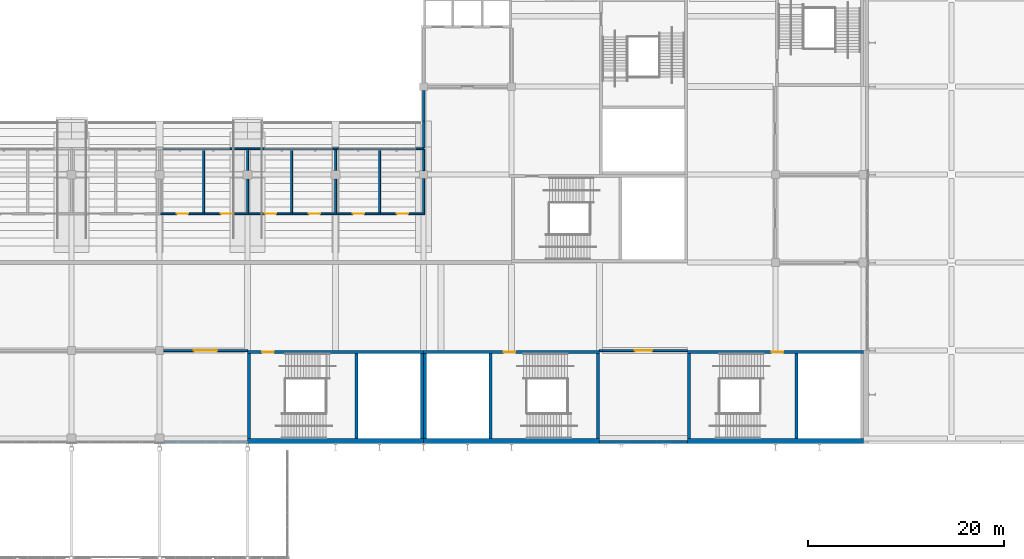
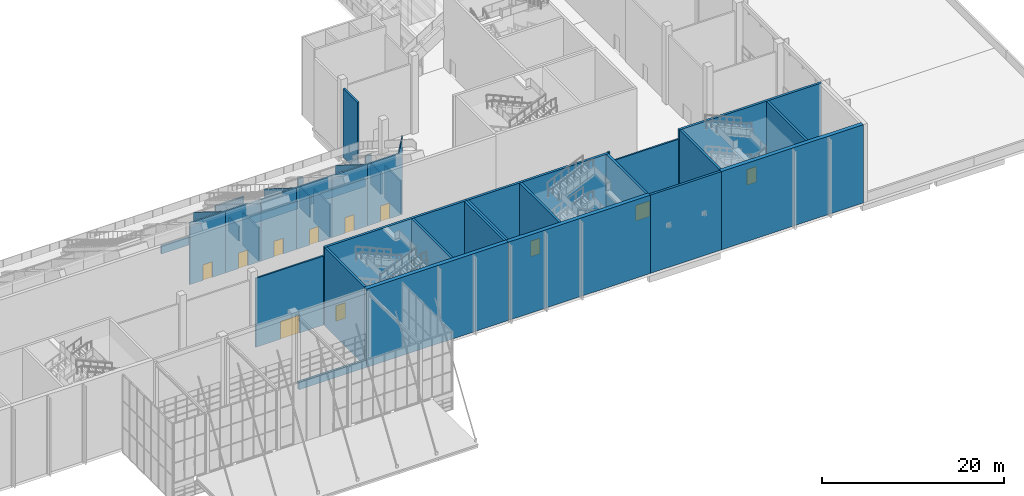
# One storey, part 87 of 182: 42 walls, 11 doors, 11 openings.
"""IFC4 building model written with IfcOpenShell, lengths in metres."""

from ifc_helpers import new_model, si_unit, direction, frame, frame_2d, origin, place, context, subcontext, project, spatial, polyline, rectangle, outline, extrude, material, layer, layer_set, type_object, element, fill, save


model = new_model("IFC4")

# Units and contexts
model_context = context("Model", 3, precision=1e-05, world=origin(), true_north=direction((0.0, 1.0)))
body_context = subcontext(model_context, "Body", "Model", "MODEL_VIEW")
ifc_project = project(units=[si_unit("LENGTHUNIT", "METRE"), si_unit("AREAUNIT", "SQUARE_METRE"), si_unit("VOLUMEUNIT", "CUBIC_METRE"), si_unit("PLANEANGLEUNIT", "RADIAN"), si_unit("MASSUNIT", "GRAM", prefix="KILO")], contexts=[model_context])

# Site, building, storey
site_placement = place(None, origin())
site = spatial("IfcSite", under=ifc_project, at=site_placement, CompositionType="ELEMENT")
building_placement = place(site_placement, origin())
building = spatial("IfcBuilding", under=site, at=building_placement, Name="Silverbay Arena", CompositionType="ELEMENT")
storey_placement = place(building_placement, frame((0.0, 0.0, 11.5)))
storey = spatial("IfcBuildingStorey", under=building, at=storey_placement, Name="L02", CompositionType="ELEMENT", Elevation=11.5)

# Walls
ifc_material_1 = material(Name="Concrete Grade C45", Category="concrete")
ifc_layer_1 = layer(ifc_material_1, 0.25)
ifc_layer_set_1 = layer_set([ifc_layer_1], Name="Concrete Grade C45")
wall_type_1 = type_object("IfcWallType", Name="Bowl enclosure wall RC 250 EI 120", PredefinedType="SOLIDWALL", material=ifc_layer_set_1)
wall_1_placement = place(storey_placement, frame((162.0, 50.5, 0.0), z_axis=(0.0, 0.0, 1.0), x_axis=(0.0, 1.0, 0.0)))
element("IfcWall", 1, at=wall_1_placement, inside=storey, type_object=wall_type_1, Name="Bowl enclosure wall, corner block SE-x", PredefinedType="SOLIDWALL", context=body_context, shape_type="SweptSolid", body=[
    extrude(rectangle(XDim=3.10009765625, YDim=0.25, at=frame_2d((1.550048828125, 0.0))), origin(), (0.0, 0.0, 1.0), 9.25),
])
wall_2_placement = place(storey_placement, frame((162.0, 47.75, 0.0), z_axis=(0.0, 0.0, 1.0), x_axis=(0.0, 1.0, 0.0)))
element("IfcWall", 2, at=wall_2_placement, inside=storey, type_object=wall_type_1, Name="Bowl enclosure wall, corner block SE-x", PredefinedType="SOLIDWALL", context=body_context, shape_type="SweptSolid", body=[
    extrude(rectangle(XDim=2.75, YDim=0.25, at=frame_2d((1.375, 0.0))), origin(), (0.0, 0.0, 1.0), 1.217041015625),
])
ifc_material_2 = material(Name="Concrete Grade C45 precast, light finish", Category="concrete")
ifc_layer_2 = layer(ifc_material_2, 0.300048828125)
ifc_layer_set_2 = layer_set([ifc_layer_2], Name="Concrete Grade C45 precast, light finish")
wall_type_2 = type_object("IfcWallType", Name="Cladded external wall 300", PredefinedType="SOLIDWALL", material=ifc_layer_set_2)
wall_3_placement = place(storey_placement, frame((135.449951171875, 17.64990234375, 0.0), z_axis=(0.0, 0.0, 1.0), x_axis=(1.0, 0.0, 0.0)))
element("IfcWall", 3, at=wall_3_placement, inside=storey, type_object=wall_type_2, Name="South sill wall L02 bay 10", PredefinedType="SOLIDWALL", context=body_context, shape_type="SweptSolid", body=[
    extrude(rectangle(XDim=8.550048828125, YDim=0.300048828125, at=frame_2d((4.27490234375, 0.0))), origin(), (0.0, 0.0, 1.0), 1.0),
])
wall_4_placement = place(storey_placement, frame((180.0, 17.64990234375, 0.0), z_axis=(0.0, 0.0, 1.0), x_axis=(1.0, 0.0, 0.0)))
element("IfcWall", 4, at=wall_4_placement, inside=storey, type_object=wall_type_2, Name="South external wall L02 bay 15", PredefinedType="SOLIDWALL", context=body_context, shape_type="SweptSolid", body=[
    extrude(rectangle(XDim=9.0, YDim=0.300048828125, at=frame_2d((4.5, 0.0))), origin(), (0.0, 0.0, 1.0), 10.5),
])

# Wall, opening, door
ifc_material_3 = material(Name="Concrete Grade C45", Category="concrete")
ifc_layer_3 = layer(ifc_material_3, 0.300048828125)
ifc_layer_set_3 = layer_set([ifc_layer_3], Name="Concrete Grade C45")
wall_type_3 = type_object("IfcWallType", Name="Core wall RC 300 EI 120", PredefinedType="SHEAR", material=ifc_layer_set_3)
wall_5_placement = place(storey_placement, frame((144.0, 26.85009765625, 0.0), z_axis=(0.0, 0.0, 1.0), x_axis=(1.0, 0.0, 0.0)))
wall_5 = element("IfcWall", 5, at=wall_5_placement, inside=storey, type_object=wall_type_3, Name="Core wall ST-S3 L02 door side", PredefinedType="SHEAR", context=body_context, shape_type="SweptSolid", body=[
    extrude(rectangle(XDim=18.0, YDim=0.300048828125, at=frame_2d((9.0, 0.0))), origin(), (0.0, 0.0, 1.0), 10.5),
])
opening_1_placement = place(wall_5_placement, frame((1.5, 0.0, 0.0)))
opening_1 = element("IfcOpeningElement", 6, at=opening_1_placement, cuts=wall_5, Name="Opening L02-077", PredefinedType="OPENING", context=body_context, shape_type="SweptSolid", body=[
    extrude(rectangle(XDim=1.199951171875, YDim=2.10009765625, at=frame_2d((0.60009765625, 1.050048828125))), frame((0.0, 0.16015625, 0.0), z_axis=(0.0, -1.0, 0.0), x_axis=(1.0, 0.0, 0.0)), (0.0, 0.0, 1.0), 0.320068359375),
])
ifc_material_4 = material(Name="Steel fire door", Category="steel")
door_type_1 = type_object("IfcDoorType", Name="Stair door 1200 x 2100 fire door", OperationType="SINGLE_SWING_LEFT", PredefinedType="DOOR", material=ifc_material_4)
door_1_placement = place(opening_1_placement, frame((1.199951171875, 0.0, 0.0), z_axis=(0.0, 0.0, 1.0), x_axis=(-1.0, 0.0, 0.0)))
door_1 = element("IfcDoor", 7, at=door_1_placement, inside=storey, type_object=door_type_1, Name="Stair door ST-S3 L02", OperationType="SINGLE_SWING_RIGHT", OverallHeight=2.10009765625, OverallWidth=1.199951171875, PredefinedType="DOOR", context=body_context, shape_type="SweptSolid", body=[
    extrude(rectangle(XDim=1.199951171875, YDim=2.10009765625, at=frame_2d((0.60009765625, 1.050048828125))), frame((0.0, 0.02490234375, 0.0), z_axis=(0.0, -1.0, 0.0), x_axis=(1.0, 0.0, 0.0)), (0.0, 0.0, 1.0), 0.050048828125),
])
fill(opening_1, door_1)

# Walls
for number, where, z_axis, x_axis, name in (
    (8, (144.14990234375, 26.699951171875, 0.0), (0.0, 0.0, 1.0), (0.0, -1.0, 0.0), "Core wall ST-S3 L02 end 1"),
    (9, (161.85009765625, 26.699951171875, 0.0), (0.0, 0.0, 1.0), (0.0, -1.0, 0.0), "Core wall ST-S3 L02 end 2"),
    (10, (155.14990234375, 26.699951171875, 0.0), (0.0, 0.0, 1.0), (0.0, -1.0, 0.0), "Core wall ST-S3 L02 stair enclosure"),
):
    element("IfcWall", number, at=place(storey_placement, frame(where, z_axis=z_axis, x_axis=x_axis)), inside=storey, type_object=wall_type_3, Name=name, PredefinedType="SHEAR", context=body_context, shape_type="SweptSolid", body=[
        extrude(rectangle(XDim=8.699951171875, YDim=0.300048828125, at=frame_2d((4.35009765625, 0.0))), origin(), (0.0, 0.0, 1.0), 10.5),
    ])

# Wall, opening, door
wall_6_placement = place(storey_placement, frame((180.0, 26.85009765625, 0.0), z_axis=(0.0, 0.0, 1.0), x_axis=(-1.0, 0.0, 0.0)))
wall_6 = element("IfcWall", 11, at=wall_6_placement, inside=storey, type_object=wall_type_3, Name="Core wall ST-S4 L02 door side", PredefinedType="SHEAR", context=body_context, shape_type="SweptSolid", body=[
    extrude(rectangle(XDim=18.0, YDim=0.300048828125, at=frame_2d((9.0, 0.0))), origin(), (0.0, 0.0, 1.0), 10.5),
])
opening_2_placement = place(wall_6_placement, frame((8.60009765625, 0.0, 0.0)))
opening_2 = element("IfcOpeningElement", 12, at=opening_2_placement, cuts=wall_6, Name="Opening L02-078", PredefinedType="OPENING", context=body_context, shape_type="SweptSolid", body=[
    extrude(rectangle(XDim=1.199951171875, YDim=2.10009765625, at=frame_2d((0.60009765625, 1.050048828125))), frame((0.0, 0.16015625, 0.0), z_axis=(0.0, -1.0, 0.0), x_axis=(1.0, 0.0, 0.0)), (0.0, 0.0, 1.0), 0.320068359375),
])
door_2_placement = place(opening_2_placement, origin())
door_2 = element("IfcDoor", 13, at=door_2_placement, inside=storey, type_object=door_type_1, Name="Stair door ST-S4 L02", OperationType="SINGLE_SWING_RIGHT", OverallHeight=2.10009765625, OverallWidth=1.199951171875, PredefinedType="DOOR", context=body_context, shape_type="SweptSolid", body=[
    extrude(rectangle(XDim=1.199951171875, YDim=2.10009765625, at=frame_2d((0.60009765625, 1.050048828125))), frame((0.0, 0.02490234375, 0.0), z_axis=(0.0, -1.0, 0.0), x_axis=(1.0, 0.0, 0.0)), (0.0, 0.0, 1.0), 0.050048828125),
])
fill(opening_2, door_2)

# Walls
for number, where, z_axis, x_axis, name in (
    (14, (179.85009765625, 26.699951171875, 0.0), (0.0, 0.0, 1.0), (0.0, -1.0, 0.0), "Core wall ST-S4 L02 end 1"),
    (15, (162.14990234375, 26.699951171875, 0.0), (0.0, 0.0, 1.0), (0.0, -1.0, 0.0), "Core wall ST-S4 L02 end 2"),
    (16, (168.85009765625, 26.699951171875, 0.0), (0.0, 0.0, 1.0), (0.0, -1.0, 0.0), "Core wall ST-S4 L02 stair enclosure"),
):
    element("IfcWall", number, at=place(storey_placement, frame(where, z_axis=z_axis, x_axis=x_axis)), inside=storey, type_object=wall_type_3, Name=name, PredefinedType="SHEAR", context=body_context, shape_type="SweptSolid", body=[
        extrude(rectangle(XDim=8.699951171875, YDim=0.300048828125, at=frame_2d((4.35009765625, 0.0))), origin(), (0.0, 0.0, 1.0), 10.5),
    ])

# Wall, opening, door
wall_7_placement = place(storey_placement, frame((189.0, 26.85009765625, 0.0), z_axis=(0.0, 0.0, 1.0), x_axis=(1.0, 0.0, 0.0)))
wall_7 = element("IfcWall", 17, at=wall_7_placement, inside=storey, type_object=wall_type_3, Name="Core wall ST-S6 L02 door side", PredefinedType="SHEAR", context=body_context, shape_type="SweptSolid", body=[
    extrude(rectangle(XDim=18.0, YDim=0.300048828125, at=frame_2d((9.0, 0.0))), origin(), (0.0, 0.0, 1.0), 10.5),
])
opening_3_placement = place(wall_7_placement, frame((8.60009765625, 0.0, 0.0)))
opening_3 = element("IfcOpeningElement", 18, at=opening_3_placement, cuts=wall_7, Name="Opening L02-084", PredefinedType="OPENING", context=body_context, shape_type="SweptSolid", body=[
    extrude(rectangle(XDim=1.199951171875, YDim=2.10009765625, at=frame_2d((0.60009765625, 1.050048828125))), frame((0.0, 0.16015625, 0.0), z_axis=(0.0, -1.0, 0.0), x_axis=(1.0, 0.0, 0.0)), (0.0, 0.0, 1.0), 0.320068359375),
])
door_3_placement = place(opening_3_placement, frame((1.199951171875, 0.0, 0.0), z_axis=(0.0, 0.0, 1.0), x_axis=(-1.0, 0.0, 0.0)))
door_3 = element("IfcDoor", 19, at=door_3_placement, inside=storey, type_object=door_type_1, Name="Stair door ST-S6 L02", OperationType="SINGLE_SWING_LEFT", OverallHeight=2.10009765625, OverallWidth=1.199951171875, PredefinedType="DOOR", context=body_context, shape_type="SweptSolid", body=[
    extrude(rectangle(XDim=1.199951171875, YDim=2.10009765625, at=frame_2d((0.60009765625, 1.050048828125))), frame((0.0, 0.02490234375, 0.0), z_axis=(0.0, -1.0, 0.0), x_axis=(1.0, 0.0, 0.0)), (0.0, 0.0, 1.0), 0.050048828125),
])
fill(opening_3, door_3)

# Walls
for number, where, z_axis, x_axis, name in (
    (20, (189.14990234375, 26.699951171875, 0.0), (0.0, 0.0, 1.0), (0.0, -1.0, 0.0), "Core wall ST-S6 L02 end 1"),
    (21, (200.14990234375, 26.699951171875, 0.0), (0.0, 0.0, 1.0), (0.0, -1.0, 0.0), "Core wall ST-S6 L02 stair enclosure"),
):
    element("IfcWall", number, at=place(storey_placement, frame(where, z_axis=z_axis, x_axis=x_axis)), inside=storey, type_object=wall_type_3, Name=name, PredefinedType="SHEAR", context=body_context, shape_type="SweptSolid", body=[
        extrude(rectangle(XDim=8.699951171875, YDim=0.300048828125, at=frame_2d((4.35009765625, 0.0))), origin(), (0.0, 0.0, 1.0), 10.5),
    ])
ifc_material_5 = material(Name="Concrete Grade C45", Category="concrete")
ifc_layer_4 = layer(ifc_material_5, 0.5)
ifc_layer_set_4 = layer_set([ifc_layer_4], Name="Concrete Grade C45")
wall_type_4 = type_object("IfcWallType", Name="Core wall RC 500 external EI 120", PredefinedType="SHEAR", material=ifc_layer_set_4)
for number, where, z_axis, x_axis, name in (
    (22, (144.0, 17.75, 0.0), (0.0, 0.0, 1.0), (1.0, 0.0, 0.0), "Core wall ST-S3 L02 facade side"),
    (23, (180.0, 17.75, 0.0), (0.0, 0.0, 1.0), (-1.0, 0.0, 0.0), "Core wall ST-S4 L02 facade side"),
    (24, (189.0, 17.75, 0.0), (0.0, 0.0, 1.0), (1.0, 0.0, 0.0), "Core wall ST-S6 L02 facade side"),
):
    element("IfcWall", number, at=place(storey_placement, frame(where, z_axis=z_axis, x_axis=x_axis)), inside=storey, type_object=wall_type_4, Name=name, PredefinedType="SHEAR", context=body_context, shape_type="SweptSolid", body=[
        extrude(rectangle(XDim=18.0, YDim=0.5, at=frame_2d((9.0, 0.0))), origin(), (0.0, 0.0, 1.0), 10.5),
    ])

# Wall, opening, door
ifc_material_6 = material(Name="Masonry blockwork partition", Category="masonry")
ifc_layer_5 = layer(ifc_material_6, 0.199951171875)
ifc_layer_set_5 = layer_set([ifc_layer_5], Name="Masonry blockwork partition")
wall_type_5 = type_object("IfcWallType", Name="Partition 200 EI 120", PredefinedType="PARTITIONING", material=ifc_layer_set_5)
wall_8_placement = place(storey_placement, frame((135.39990234375, 27.0, 0.0), z_axis=(0.0, 0.0, 1.0), x_axis=(1.0, 0.0, 0.0)))
wall_8 = element("IfcWall", 25, at=wall_8_placement, inside=storey, type_object=wall_type_5, Name="Partition wall", PredefinedType="PARTITIONING", context=body_context, shape_type="SweptSolid", body=[
    extrude(rectangle(XDim=8.60009765625, YDim=0.199951171875, at=frame_2d((4.300048828125, 0.0))), origin(), (0.0, 0.0, 1.0), 9.25),
])
opening_4_placement = place(wall_8_placement, frame((3.10009765625, 0.0, 0.0)))
opening_4 = element("IfcOpeningElement", 26, at=opening_4_placement, cuts=wall_8, Name="Opening L02-002", PredefinedType="OPENING", context=body_context, shape_type="SweptSolid", body=[
    extrude(rectangle(XDim=2.39990234375, YDim=2.39990234375, at=frame_2d((1.199951171875, 1.199951171875))), frame((0.0, 0.10986328125, 0.0), z_axis=(0.0, -1.0, 0.0), x_axis=(1.0, 0.0, 0.0)), (0.0, 0.0, 1.0), 0.219970703125),
])
ifc_material_7 = material(Name="Steel faced timber", Category="steel")
door_type_2 = type_object("IfcDoorType", Name="Double leaf door 2400 x 2400 FD120", OperationType="DOUBLE_DOOR_DOUBLE_SWING", PredefinedType="DOOR", material=ifc_material_7)
door_4_placement = place(opening_4_placement, origin())
door_4 = element("IfcDoor", 27, at=door_4_placement, inside=storey, type_object=door_type_2, Name="Door L02-002", OperationType="DOUBLE_DOOR_DOUBLE_SWING", OverallHeight=2.39990234375, OverallWidth=2.39990234375, PredefinedType="DOOR", context=body_context, shape_type="SweptSolid", body=[
    extrude(rectangle(XDim=2.39990234375, YDim=2.39990234375, at=frame_2d((1.199951171875, 1.199951171875))), frame((0.0, 0.02490234375, 0.0), z_axis=(0.0, -1.0, 0.0), x_axis=(1.0, 0.0, 0.0)), (0.0, 0.0, 1.0), 0.050048828125),
])
fill(opening_4, door_4)

wall_9_placement = place(storey_placement, frame((135.10009765625, 41.0, 0.0), z_axis=(0.0, 0.0, 1.0), x_axis=(1.0, 0.0, 0.0)))
wall_9 = element("IfcWall", 28, at=wall_9_placement, inside=storey, type_object=wall_type_5, Name="Partition wall", PredefinedType="PARTITIONING", context=body_context, shape_type="SweptSolid", body=[
    extrude(rectangle(XDim=4.5, YDim=0.199951171875, at=frame_2d((2.25, 0.0))), origin(), (0.0, 0.0, 1.0), 8.257568359375),
])
opening_5_placement = place(wall_9_placement, frame((1.64990234375, 0.0, 0.0)))
opening_5 = element("IfcOpeningElement", 29, at=opening_5_placement, cuts=wall_9, Name="Opening L02-032", PredefinedType="OPENING", context=body_context, shape_type="SweptSolid", body=[
    extrude(rectangle(XDim=1.199951171875, YDim=2.10009765625, at=frame_2d((0.60009765625, 1.050048828125))), frame((0.0, 0.10986328125, 0.0), z_axis=(0.0, -1.0, 0.0), x_axis=(1.0, 0.0, 0.0)), (0.0, 0.0, 1.0), 0.219970703125),
])
ifc_material_8 = material(Name="Steel faced timber", Category="steel")
door_type_3 = type_object("IfcDoorType", Name="Single leaf door 1200 x 2100 FD120", OperationType="SINGLE_SWING_LEFT", PredefinedType="DOOR", material=ifc_material_8)
door_5_placement = place(opening_5_placement, origin())
door_5 = element("IfcDoor", 30, at=door_5_placement, inside=storey, type_object=door_type_3, Name="Door L02-032", OperationType="SINGLE_SWING_RIGHT", OverallHeight=2.10009765625, OverallWidth=1.199951171875, PredefinedType="DOOR", context=body_context, shape_type="SweptSolid", body=[
    extrude(rectangle(XDim=1.199951171875, YDim=2.10009765625, at=frame_2d((0.60009765625, 1.050048828125))), frame((0.0, 0.02490234375, 0.0), z_axis=(0.0, -1.0, 0.0), x_axis=(1.0, 0.0, 0.0)), (0.0, 0.0, 1.0), 0.050048828125),
])
fill(opening_5, door_5)

wall_10_placement = place(storey_placement, frame((139.60009765625, 41.0, 0.0), z_axis=(0.0, 0.0, 1.0), x_axis=(1.0, 0.0, 0.0)))
wall_10 = element("IfcWall", 31, at=wall_10_placement, inside=storey, type_object=wall_type_5, Name="Partition wall", PredefinedType="PARTITIONING", context=body_context, shape_type="SweptSolid", body=[
    extrude(rectangle(XDim=4.5, YDim=0.199951171875, at=frame_2d((2.25, 0.0))), origin(), (0.0, 0.0, 1.0), 8.257568359375),
])
opening_6_placement = place(wall_10_placement, frame((1.64990234375, 0.0, 0.0)))
opening_6 = element("IfcOpeningElement", 32, at=opening_6_placement, cuts=wall_10, Name="Opening L02-033", PredefinedType="OPENING", context=body_context, shape_type="SweptSolid", body=[
    extrude(rectangle(XDim=1.199951171875, YDim=2.10009765625, at=frame_2d((0.60009765625, 1.050048828125))), frame((0.0, 0.10986328125, 0.0), z_axis=(0.0, -1.0, 0.0), x_axis=(1.0, 0.0, 0.0)), (0.0, 0.0, 1.0), 0.219970703125),
])
door_6_placement = place(opening_6_placement, origin())
door_6 = element("IfcDoor", 33, at=door_6_placement, inside=storey, type_object=door_type_3, Name="Door L02-033", OperationType="SINGLE_SWING_LEFT", OverallHeight=2.10009765625, OverallWidth=1.199951171875, PredefinedType="DOOR", context=body_context, shape_type="SweptSolid", body=[
    extrude(rectangle(XDim=1.199951171875, YDim=2.10009765625, at=frame_2d((0.60009765625, 1.050048828125))), frame((0.0, 0.02490234375, 0.0), z_axis=(0.0, -1.0, 0.0), x_axis=(1.0, 0.0, 0.0)), (0.0, 0.0, 1.0), 0.050048828125),
])
fill(opening_6, door_6)

wall_11_placement = place(storey_placement, frame((144.10009765625, 41.0, 0.0), z_axis=(0.0, 0.0, 1.0), x_axis=(1.0, 0.0, 0.0)))
wall_11 = element("IfcWall", 34, at=wall_11_placement, inside=storey, type_object=wall_type_5, Name="Partition wall", PredefinedType="PARTITIONING", context=body_context, shape_type="SweptSolid", body=[
    extrude(rectangle(XDim=4.5, YDim=0.199951171875, at=frame_2d((2.25, 0.0))), origin(), (0.0, 0.0, 1.0), 8.257568359375),
])
opening_7_placement = place(wall_11_placement, frame((1.64990234375, 0.0, 0.0)))
opening_7 = element("IfcOpeningElement", 35, at=opening_7_placement, cuts=wall_11, Name="Opening L02-034", PredefinedType="OPENING", context=body_context, shape_type="SweptSolid", body=[
    extrude(rectangle(XDim=1.199951171875, YDim=2.10009765625, at=frame_2d((0.60009765625, 1.050048828125))), frame((0.0, 0.10986328125, 0.0), z_axis=(0.0, -1.0, 0.0), x_axis=(1.0, 0.0, 0.0)), (0.0, 0.0, 1.0), 0.219970703125),
])
door_7_placement = place(opening_7_placement, origin())
door_7 = element("IfcDoor", 36, at=door_7_placement, inside=storey, type_object=door_type_3, Name="Door L02-034", OperationType="SINGLE_SWING_RIGHT", OverallHeight=2.10009765625, OverallWidth=1.199951171875, PredefinedType="DOOR", context=body_context, shape_type="SweptSolid", body=[
    extrude(rectangle(XDim=1.199951171875, YDim=2.10009765625, at=frame_2d((0.60009765625, 1.050048828125))), frame((0.0, 0.02490234375, 0.0), z_axis=(0.0, -1.0, 0.0), x_axis=(1.0, 0.0, 0.0)), (0.0, 0.0, 1.0), 0.050048828125),
])
fill(opening_7, door_7)

wall_12_placement = place(storey_placement, frame((148.60009765625, 41.0, 0.0), z_axis=(0.0, 0.0, 1.0), x_axis=(1.0, 0.0, 0.0)))
wall_12 = element("IfcWall", 37, at=wall_12_placement, inside=storey, type_object=wall_type_5, Name="Partition wall", PredefinedType="PARTITIONING", context=body_context, shape_type="SweptSolid", body=[
    extrude(rectangle(XDim=4.5, YDim=0.199951171875, at=frame_2d((2.25, 0.0))), origin(), (0.0, 0.0, 1.0), 8.257568359375),
])
opening_8_placement = place(wall_12_placement, frame((1.64990234375, 0.0, 0.0)))
opening_8 = element("IfcOpeningElement", 38, at=opening_8_placement, cuts=wall_12, Name="Opening L02-035", PredefinedType="OPENING", context=body_context, shape_type="SweptSolid", body=[
    extrude(rectangle(XDim=1.199951171875, YDim=2.10009765625, at=frame_2d((0.60009765625, 1.050048828125))), frame((0.0, 0.10986328125, 0.0), z_axis=(0.0, -1.0, 0.0), x_axis=(1.0, 0.0, 0.0)), (0.0, 0.0, 1.0), 0.219970703125),
])
door_8_placement = place(opening_8_placement, origin())
door_8 = element("IfcDoor", 39, at=door_8_placement, inside=storey, type_object=door_type_3, Name="Door L02-035", OperationType="SINGLE_SWING_LEFT", OverallHeight=2.10009765625, OverallWidth=1.199951171875, PredefinedType="DOOR", context=body_context, shape_type="SweptSolid", body=[
    extrude(rectangle(XDim=1.199951171875, YDim=2.10009765625, at=frame_2d((0.60009765625, 1.050048828125))), frame((0.0, 0.02490234375, 0.0), z_axis=(0.0, -1.0, 0.0), x_axis=(1.0, 0.0, 0.0)), (0.0, 0.0, 1.0), 0.050048828125),
])
fill(opening_8, door_8)

wall_13_placement = place(storey_placement, frame((153.10009765625, 41.0, 0.0), z_axis=(0.0, 0.0, 1.0), x_axis=(1.0, 0.0, 0.0)))
wall_13 = element("IfcWall", 40, at=wall_13_placement, inside=storey, type_object=wall_type_5, Name="Partition wall", PredefinedType="PARTITIONING", context=body_context, shape_type="SweptSolid", body=[
    extrude(rectangle(XDim=4.5, YDim=0.199951171875, at=frame_2d((2.25, 0.0))), origin(), (0.0, 0.0, 1.0), 8.257568359375),
])
opening_9_placement = place(wall_13_placement, frame((1.64990234375, 0.0, 0.0)))
opening_9 = element("IfcOpeningElement", 41, at=opening_9_placement, cuts=wall_13, Name="Opening L02-036", PredefinedType="OPENING", context=body_context, shape_type="SweptSolid", body=[
    extrude(rectangle(XDim=1.199951171875, YDim=2.10009765625, at=frame_2d((0.60009765625, 1.050048828125))), frame((0.0, 0.10986328125, 0.0), z_axis=(0.0, -1.0, 0.0), x_axis=(1.0, 0.0, 0.0)), (0.0, 0.0, 1.0), 0.219970703125),
])
door_9_placement = place(opening_9_placement, origin())
door_9 = element("IfcDoor", 42, at=door_9_placement, inside=storey, type_object=door_type_3, Name="Door L02-036", OperationType="SINGLE_SWING_RIGHT", OverallHeight=2.10009765625, OverallWidth=1.199951171875, PredefinedType="DOOR", context=body_context, shape_type="SweptSolid", body=[
    extrude(rectangle(XDim=1.199951171875, YDim=2.10009765625, at=frame_2d((0.60009765625, 1.050048828125))), frame((0.0, 0.02490234375, 0.0), z_axis=(0.0, -1.0, 0.0), x_axis=(1.0, 0.0, 0.0)), (0.0, 0.0, 1.0), 0.050048828125),
])
fill(opening_9, door_9)

wall_14_placement = place(storey_placement, frame((157.60009765625, 41.0, 0.0), z_axis=(0.0, 0.0, 1.0), x_axis=(1.0, 0.0, 0.0)))
wall_14 = element("IfcWall", 43, at=wall_14_placement, inside=storey, type_object=wall_type_5, Name="Partition wall", PredefinedType="PARTITIONING", context=body_context, shape_type="SweptSolid", body=[
    extrude(outline(polyline([(0.0, 0.0), (4.5, 0.0), (4.5, 10.5), (4.0, 8.257568359375), (0.0, 8.257568359375), (0.0, 0.0)])), frame((0.0, 0.10009765625, 0.0), z_axis=(0.0, -1.0, 0.0), x_axis=(1.0, 0.0, 0.0)), (0.0, 0.0, 1.0), 0.199951171875),
])
opening_10_placement = place(wall_14_placement, frame((1.64990234375, 0.0, 0.0)))
opening_10 = element("IfcOpeningElement", 44, at=opening_10_placement, cuts=wall_14, Name="Opening L02-037", PredefinedType="OPENING", context=body_context, shape_type="SweptSolid", body=[
    extrude(rectangle(XDim=1.199951171875, YDim=2.10009765625, at=frame_2d((0.60009765625, 1.050048828125))), frame((0.0, 0.10986328125, 0.0), z_axis=(0.0, -1.0, 0.0), x_axis=(1.0, 0.0, 0.0)), (0.0, 0.0, 1.0), 0.219970703125),
])
door_10_placement = place(opening_10_placement, origin())
door_10 = element("IfcDoor", 45, at=door_10_placement, inside=storey, type_object=door_type_3, Name="Door L02-037", OperationType="SINGLE_SWING_LEFT", OverallHeight=2.10009765625, OverallWidth=1.199951171875, PredefinedType="DOOR", context=body_context, shape_type="SweptSolid", body=[
    extrude(rectangle(XDim=1.199951171875, YDim=2.10009765625, at=frame_2d((0.60009765625, 1.050048828125))), frame((0.0, 0.02490234375, 0.0), z_axis=(0.0, -1.0, 0.0), x_axis=(1.0, 0.0, 0.0)), (0.0, 0.0, 1.0), 0.050048828125),
])
fill(opening_10, door_10)

# Walls
wall_15_placement = place(storey_placement, frame((162.0, 41.10009765625, 0.0), z_axis=(0.0, 0.0, 1.0), x_axis=(0.0, 1.0, 0.0)))
element("IfcWall", 46, at=wall_15_placement, inside=storey, type_object=wall_type_5, Name="Partition wall", PredefinedType="PARTITIONING", context=body_context, shape_type="SweptSolid", body=[
    extrude(rectangle(XDim=3.5, YDim=0.199951171875, at=frame_2d((1.75, 0.0))), origin(), (0.0, 0.0, 1.0), 4.43896484375),
])
wall_16_placement = place(storey_placement, frame((162.0, 45.39990234375, 0.0), z_axis=(0.0, 0.0, 1.0), x_axis=(0.0, 1.0, 0.0)))
element("IfcWall", 47, at=wall_16_placement, inside=storey, type_object=wall_type_5, Name="Partition wall", PredefinedType="PARTITIONING", context=body_context, shape_type="SweptSolid", body=[
    extrude(rectangle(XDim=2.2001953125, YDim=0.199951171875, at=frame_2d((1.10009765625, 0.0))), origin(), (0.0, 0.0, 1.0), 2.876953125),
])

# Wall, opening, door
ifc_material_9 = material(Name="Gypsum board partition on steel studs", Category="steel")
ifc_layer_6 = layer(ifc_material_9, 0.199951171875)
ifc_layer_set_6 = layer_set([ifc_layer_6], Name="Gypsum board partition on steel studs")
wall_type_6 = type_object("IfcWallType", Name="Partition 200 EI 60", PredefinedType="PARTITIONING", material=ifc_layer_set_6)
wall_17_placement = place(storey_placement, frame((180.300048828125, 27.0, 0.0), z_axis=(0.0, 0.0, 1.0), x_axis=(1.0, 0.0, 0.0)))
wall_17 = element("IfcWall", 48, at=wall_17_placement, inside=storey, type_object=wall_type_6, Name="Partition wall", PredefinedType="PARTITIONING", context=body_context, shape_type="SweptSolid", body=[
    extrude(rectangle(XDim=8.699951171875, YDim=0.199951171875, at=frame_2d((4.35009765625, 0.0))), origin(), (0.0, 0.0, 1.0), 9.14990234375),
])
opening_11_placement = place(wall_17_placement, frame((3.300048828125, 0.0, 0.0)))
opening_11 = element("IfcOpeningElement", 49, at=opening_11_placement, cuts=wall_17, Name="Opening L02-003", PredefinedType="OPENING", context=body_context, shape_type="SweptSolid", body=[
    extrude(rectangle(XDim=1.800048828125, YDim=2.10009765625, at=frame_2d((0.89990234375, 1.050048828125))), frame((0.0, 0.10986328125, 0.0), z_axis=(0.0, -1.0, 0.0), x_axis=(1.0, 0.0, 0.0)), (0.0, 0.0, 1.0), 0.219970703125),
])
ifc_material_10 = material(Name="Steel faced timber", Category="steel")
door_type_4 = type_object("IfcDoorType", Name="Double leaf door 1800 x 2100 FD30S", OperationType="DOUBLE_DOOR_DOUBLE_SWING", PredefinedType="DOOR", material=ifc_material_10)
door_11_placement = place(opening_11_placement, frame((1.800048828125, 0.0, 0.0), z_axis=(0.0, 0.0, 1.0), x_axis=(-1.0, 0.0, 0.0)))
door_11 = element("IfcDoor", 50, at=door_11_placement, inside=storey, type_object=door_type_4, Name="Door L02-003", OperationType="DOUBLE_DOOR_DOUBLE_SWING", OverallHeight=2.10009765625, OverallWidth=1.800048828125, PredefinedType="DOOR", context=body_context, shape_type="SweptSolid", body=[
    extrude(rectangle(XDim=1.800048828125, YDim=2.10009765625, at=frame_2d((0.89990234375, 1.050048828125))), frame((0.0, 0.02490234375, 0.0), z_axis=(0.0, -1.0, 0.0), x_axis=(1.0, 0.0, 0.0)), (0.0, 0.0, 1.0), 0.050048828125),
])
fill(opening_11, door_11)

# Walls
wall_18_placement = place(storey_placement, frame((139.5, 41.10009765625, 0.0), z_axis=(0.0, 0.0, 1.0), x_axis=(0.0, 1.0, 0.0)))
element("IfcWall", 51, at=wall_18_placement, inside=storey, type_object=wall_type_6, Name="Partition wall", PredefinedType="PARTITIONING", context=body_context, shape_type="SweptSolid", body=[
    extrude(outline(polyline([(0.0, 0.0), (6.5, 0.0), (6.5, 4.132568359375), (0.0, 8.195068359375), (0.0, 0.0)])), frame((0.0, 0.10009765625, 0.0), z_axis=(0.0, -1.0, 0.0), x_axis=(1.0, 0.0, 0.0)), (0.0, 0.0, 1.0), 0.199951171875),
])
wall_19_placement = place(storey_placement, frame((144.0, 41.10009765625, 0.0), z_axis=(0.0, 0.0, 1.0), x_axis=(0.0, 1.0, 0.0)))
element("IfcWall", 52, at=wall_19_placement, inside=storey, type_object=wall_type_6, Name="Partition wall", PredefinedType="PARTITIONING", context=body_context, shape_type="SweptSolid", body=[
    extrude(rectangle(XDim=3.449951171875, YDim=0.199951171875, at=frame_2d((1.72509765625, 0.0))), origin(), (0.0, 0.0, 1.0), 4.43896484375),
])
wall_20_placement = place(storey_placement, frame((144.0, 45.449951171875, 0.0), z_axis=(0.0, 0.0, 1.0), x_axis=(0.0, 1.0, 0.0)))
element("IfcWall", 53, at=wall_20_placement, inside=storey, type_object=wall_type_6, Name="Partition wall", PredefinedType="PARTITIONING", context=body_context, shape_type="SweptSolid", body=[
    extrude(rectangle(XDim=2.150146484375, YDim=0.199951171875, at=frame_2d((1.0751953125, 0.0))), origin(), (0.0, 0.0, 1.0), 1.93896484375),
])
wall_21_placement = place(storey_placement, frame((148.5, 41.10009765625, 0.0), z_axis=(0.0, 0.0, 1.0), x_axis=(0.0, 1.0, 0.0)))
element("IfcWall", 54, at=wall_21_placement, inside=storey, type_object=wall_type_6, Name="Partition wall", PredefinedType="PARTITIONING", context=body_context, shape_type="SweptSolid", body=[
    extrude(outline(polyline([(0.0, 0.0), (6.5, 0.0), (6.5, 4.132568359375), (0.0, 8.195068359375), (0.0, 0.0)])), frame((0.0, 0.10009765625, 0.0), z_axis=(0.0, -1.0, 0.0), x_axis=(1.0, 0.0, 0.0)), (0.0, 0.0, 1.0), 0.199951171875),
])
wall_22_placement = place(storey_placement, frame((153.0, 41.10009765625, 0.0), z_axis=(0.0, 0.0, 1.0), x_axis=(0.0, 1.0, 0.0)))
element("IfcWall", 55, at=wall_22_placement, inside=storey, type_object=wall_type_6, Name="Partition wall", PredefinedType="PARTITIONING", context=body_context, shape_type="SweptSolid", body=[
    extrude(rectangle(XDim=3.449951171875, YDim=0.199951171875, at=frame_2d((1.72509765625, 0.0))), origin(), (0.0, 0.0, 1.0), 4.43896484375),
])
wall_23_placement = place(storey_placement, frame((153.0, 45.449951171875, 0.0), z_axis=(0.0, 0.0, 1.0), x_axis=(0.0, 1.0, 0.0)))
element("IfcWall", 56, at=wall_23_placement, inside=storey, type_object=wall_type_6, Name="Partition wall", PredefinedType="PARTITIONING", context=body_context, shape_type="SweptSolid", body=[
    extrude(outline(polyline([(0.0, 0.0), (2.150146484375, 0.0), (2.14990234375, 2.83251953125), (2.0791015625, 2.876953125), (0.0, 2.876953125), (0.0, 0.0)])), frame((0.0, 0.10009765625, 0.0), z_axis=(0.0, -1.0, 0.0), x_axis=(1.0, 0.0, 0.0)), (0.0, 0.0, 1.0), 0.199951171875),
])
wall_24_placement = place(storey_placement, frame((157.5, 41.10009765625, 0.0), z_axis=(0.0, 0.0, 1.0), x_axis=(0.0, 1.0, 0.0)))
element("IfcWall", 57, at=wall_24_placement, inside=storey, type_object=wall_type_6, Name="Partition wall", PredefinedType="PARTITIONING", context=body_context, shape_type="SweptSolid", body=[
    extrude(outline(polyline([(0.0, 0.0), (6.5, 0.0), (6.5, 4.132568359375), (0.0, 8.195068359375), (0.0, 0.0)])), frame((0.0, 0.10009765625, 0.0), z_axis=(0.0, -1.0, 0.0), x_axis=(1.0, 0.0, 0.0)), (0.0, 0.0, 1.0), 0.199951171875),
])
wall_25_placement = place(storey_placement, frame((180.0, 27.0, 0.0), z_axis=(0.0, 0.0, 1.0), x_axis=(1.0, 0.0, 0.0)))
element("IfcWall", 58, at=wall_25_placement, inside=storey, type_object=wall_type_6, Name="Partition wall", PredefinedType="PARTITIONING", context=body_context, shape_type="SweptSolid", body=[
    extrude(rectangle(XDim=0.300048828125, YDim=0.199951171875, at=frame_2d((0.14990234375, 0.0))), origin(), (0.0, 0.0, 1.0), 10.5),
])
ifc_material_11 = material(Name="Concrete Grade C45", Category="concrete")
ifc_layer_7 = layer(ifc_material_11, 0.199951171875)
ifc_layer_set_7 = layer_set([ifc_layer_7], Name="Concrete Grade C45")
wall_type_7 = type_object("IfcWallType", Name="Suite front pier wall 200 EI 120", PredefinedType="SOLIDWALL", material=ifc_layer_set_7)
wall_26_placement = place(storey_placement, frame((142.199951171875, 47.64990234375, 0.0), z_axis=(0.0, 0.0, 1.0), x_axis=(1.0, 0.0, 0.0)))
element("IfcWall", 59, at=wall_26_placement, inside=storey, type_object=wall_type_7, Name="South suite front pier 6", PredefinedType="SOLIDWALL", context=body_context, shape_type="SweptSolid", body=[
    extrude(rectangle(XDim=3.60009765625, YDim=0.199951171875, at=frame_2d((1.800048828125, 0.0))), origin(), (0.0, 0.0, 1.0), 4.033935546875),
])
wall_27_placement = place(storey_placement, frame((152.64990234375, 47.64990234375, 0.0), z_axis=(0.0, 0.0, 1.0), x_axis=(1.0, 0.0, 0.0)))
element("IfcWall", 60, at=wall_27_placement, inside=storey, type_object=wall_type_7, Name="South suite front pier 7", PredefinedType="SOLIDWALL", context=body_context, shape_type="SweptSolid", body=[
    extrude(rectangle(XDim=0.7001953125, YDim=0.199951171875, at=frame_2d((0.35009765625, 0.0))), origin(), (0.0, 0.0, 1.0), 4.033935546875),
])
wall_28_placement = place(storey_placement, frame((161.199951171875, 47.64990234375, 0.0), z_axis=(0.0, 0.0, 1.0), x_axis=(1.0, 0.0, 0.0)))
element("IfcWall", 61, at=wall_28_placement, inside=storey, type_object=wall_type_7, Name="South suite front pier 8", PredefinedType="SOLIDWALL", context=body_context, shape_type="SweptSolid", body=[
    extrude(rectangle(XDim=0.800048828125, YDim=0.199951171875, at=frame_2d((0.39990234375, 0.0))), origin(), (0.0, 0.0, 1.0), 4.033935546875),
])
ifc_material_12 = material(Name="Concrete Grade C45", Category="concrete")
ifc_layer_8 = layer(ifc_material_12, 0.199951171875)
ifc_layer_set_8 = layer_set([ifc_layer_8], Name="Concrete Grade C45")
wall_type_8 = type_object("IfcWallType", Name="Suite front spandrel wall 200 EI 120", PredefinedType="SOLIDWALL", material=ifc_layer_set_8)
for number, where, z_axis, x_axis, name in (
    (62, (135.35009765625, 47.64990234375, 0.0), (0.0, 0.0, 1.0), (1.0, 0.0, 0.0), "South suite front spandrel 5"),
    (63, (145.800048828125, 47.64990234375, 0.0), (0.0, 0.0, 1.0), (1.0, 0.0, 0.0), "South suite front spandrel 6"),
):
    element("IfcWall", number, at=place(storey_placement, frame(where, z_axis=z_axis, x_axis=x_axis)), inside=storey, type_object=wall_type_8, Name=name, PredefinedType="SOLIDWALL", context=body_context, shape_type="SweptSolid", body=[
        extrude(rectangle(XDim=6.849853515625, YDim=0.199951171875, at=frame_2d((3.4248046875, 0.0))), origin(), (0.0, 0.0, 1.0), 1.10009765625),
    ])
wall_29_placement = place(storey_placement, frame((153.35009765625, 47.64990234375, 0.0), z_axis=(0.0, 0.0, 1.0), x_axis=(1.0, 0.0, 0.0)))
element("IfcWall", 64, at=wall_29_placement, inside=storey, type_object=wall_type_8, Name="South suite front spandrel 7", PredefinedType="SOLIDWALL", context=body_context, shape_type="SweptSolid", body=[
    extrude(rectangle(XDim=7.849853515625, YDim=0.199951171875, at=frame_2d((3.9248046875, 0.0))), origin(), (0.0, 0.0, 1.0), 1.10009765625),
])

save(model, "model.ifc")
